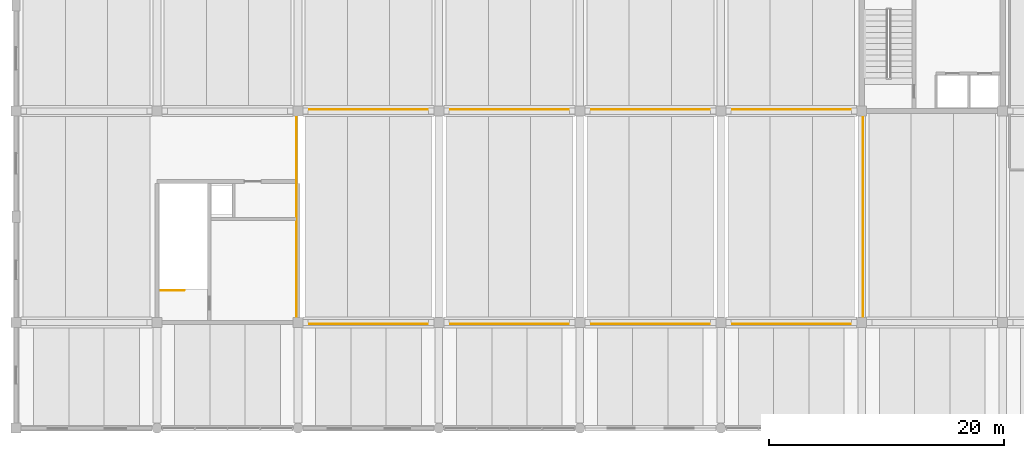
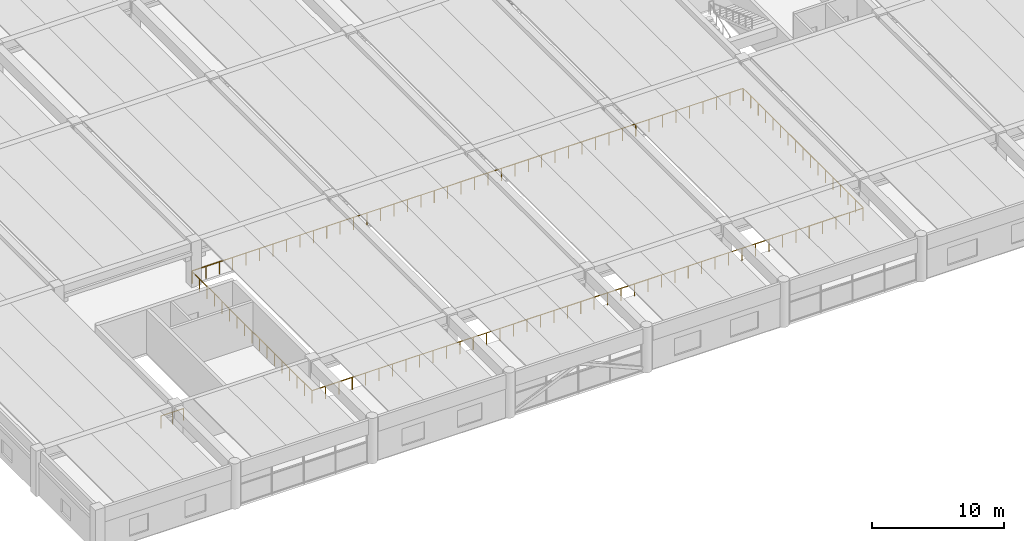
# One storey, part 43 of 50: 3 railings.
"""IFC4 building model written with IfcOpenShell, lengths in metres."""

import ifcopenshell
import ifcopenshell.guid

model = None  # the IFC model being written
_history = None  # IfcOwnerHistory: only IFC2X3 demands one
_inside = {}  # id of a spatial element -> (the spatial element, [elements in it])
_under = {}  # id of a project, library or spatial element -> (it, [spatial elements below it])
_declared = {}  # id of a project -> (the project, [libraries it declares])
_typed = {}  # id of a type object -> (the type object, [elements of that type])
_made_of = {}  # id of a material, layer set ... -> (it, [elements and type objects made of it])


def new_model(schema):
    """Start an empty IFC model of exactly this schema.

    Asked for "IFC4X3", IfcOpenShell would pick the latest addendum, in which some entities
    have other attributes; the version numbers below select the first issue.
    IFC2X3 requires an IfcOwnerHistory on every rooted entity: one is made here for all.
    """
    global model, _history
    if schema == "IFC4X3":
        model = ifcopenshell.file(schema_version=(4, 3, 0, 0))
    else:
        model = ifcopenshell.file(schema=schema)
    _inside.clear()
    _under.clear()
    _declared.clear()
    _typed.clear()
    _made_of.clear()
    _history = None
    if model.schema == "IFC2X3":
        org = make("IfcOrganization", Name="unknown")
        user = make(
            "IfcPersonAndOrganization",
            ThePerson=make("IfcPerson", FamilyName="unknown"),
            TheOrganization=org,
        )
        app = make(
            "IfcApplication",
            ApplicationDeveloper=org,
            Version="unknown",
            ApplicationFullName="unknown",
            ApplicationIdentifier="unknown",
        )
        _history = make(
            "IfcOwnerHistory",
            OwningUser=user,
            OwningApplication=app,
            ChangeAction="ADDED",
            CreationDate=0,
        )
    return model


def make(cls, **values):
    """One entity of the class cls with the attributes given. An attribute that is None is left unset."""
    return model.create_entity(
        cls, **{name: value for name, value in values.items() if value is not None}
    )


def rooted(cls, **values):
    """An entity with a GlobalId (a new one), such as an element, a storey or a relation."""
    return make(cls, GlobalId=ifcopenshell.guid.new(), OwnerHistory=_history, **values)


def si_unit(unit_type, name, prefix=None):
    """IfcSIUnit, for example si_unit("LENGTHUNIT", "METRE", prefix="MILLI")."""
    return make("IfcSIUnit", UnitType=unit_type, Prefix=prefix, Name=name)


def assignment(units):
    """IfcUnitAssignment: the units of a project."""
    return None if units is None else make("IfcUnitAssignment", Units=units)


def point(xyz):
    """IfcCartesianPoint."""
    return None if xyz is None else make("IfcCartesianPoint", Coordinates=xyz)


def direction(xyz):
    """IfcDirection."""
    return None if xyz is None else make("IfcDirection", DirectionRatios=xyz)


def frame(location, z_axis=None, x_axis=None):
    """IfcAxis2Placement3D, a coordinate frame: its origin and axes. An axis left out is left unset."""
    return make(
        "IfcAxis2Placement3D",
        Location=point(location),
        Axis=direction(z_axis),
        RefDirection=direction(x_axis),
    )


def frame_2d(location, x_axis=None):
    """IfcAxis2Placement2D, a coordinate frame in the plane: its origin and x axis."""
    return make(
        "IfcAxis2Placement2D", Location=point(location), RefDirection=direction(x_axis)
    )


def origin():
    """The frame at (0, 0, 0) with its axes left unset."""
    return frame((0.0, 0.0, 0.0))


def origin_2d():
    """The frame at (0, 0) in the plane with its x axis left unset."""
    return frame_2d((0.0, 0.0))


def place(relative_to, where):
    """IfcLocalPlacement: puts the frame where relative to a parent placement (None: the world)."""
    return make(
        "IfcLocalPlacement", PlacementRelTo=relative_to, RelativePlacement=where
    )


def context(
    kind, dimensions, precision=None, world=None, true_north=None, identifier=None
):
    """IfcGeometricRepresentationContext, for example the 3D "Model" context."""
    return make(
        "IfcGeometricRepresentationContext",
        ContextIdentifier=identifier,
        ContextType=kind,
        CoordinateSpaceDimension=dimensions,
        Precision=precision,
        WorldCoordinateSystem=world,
        TrueNorth=true_north,
    )


def subcontext(parent, identifier, kind, view, scale=None):
    """IfcGeometricRepresentationSubContext, for example "Body" below "Model"."""
    return make(
        "IfcGeometricRepresentationSubContext",
        ContextIdentifier=identifier,
        ContextType=kind,
        ParentContext=parent,
        TargetScale=scale,
        TargetView=view,
    )


def project(units=None, contexts=None):
    """IfcProject with its units and contexts."""
    return rooted(
        "IfcProject",
        Name="project",
        RepresentationContexts=contexts,
        UnitsInContext=assignment(units),
    )


def spatial(cls, under=None, at=None, **own):
    """A site, building, storey or space (cls), placed at a placement, below another one or the project."""
    s = rooted(cls, ObjectPlacement=at, **own)
    if under is not None:
        _under.setdefault(under.id(), (under, []))[1].append(s)
    return s


def profile(cls, at=None, kind="AREA", **sizes):
    """A parametric profile (cls). Its sizes go by their IFC names, for example OverallWidth=200.0."""
    return make(cls, ProfileType=kind, Position=at, **sizes)


def circle(**sizes):
    """IfcCircleProfileDef."""
    return profile("IfcCircleProfileDef", **sizes)


def extrude(swept, where, along, depth):
    """IfcExtrudedAreaSolid: the profile swept, set in the frame where, extruded along a direction by depth."""
    return make(
        "IfcExtrudedAreaSolid",
        SweptArea=swept,
        Position=where,
        ExtrudedDirection=direction(along),
        Depth=depth,
    )


def shape(context_of_items, identifier, shape_type, items):
    """IfcShapeRepresentation: the items that make up one representation, for example the "Body"."""
    return make(
        "IfcShapeRepresentation",
        ContextOfItems=context_of_items,
        RepresentationIdentifier=identifier,
        RepresentationType=shape_type,
        Items=items,
    )


def material(Name=None, Category=None):
    """IfcMaterial."""
    return make("IfcMaterial", Name=Name, Category=Category)


def layer(
    of_material, thickness, ventilated=None, Name=None, Category=None, Priority=None
):
    """IfcMaterialLayer: one layer of a wall or slab, of a material (None: an air gap)."""
    return make(
        "IfcMaterialLayer",
        Material=of_material,
        LayerThickness=thickness,
        IsVentilated=ventilated,
        Name=Name,
        Category=Category,
        Priority=Priority,
    )


def layer_set(layers, Name=None):
    """IfcMaterialLayerSet."""
    return make("IfcMaterialLayerSet", MaterialLayers=layers, LayerSetName=Name)


def made_of(thing, what):
    """Note that an element or type object is made of a material, layer set ...; save() writes the relation."""
    if what is not None:
        _made_of.setdefault(what.id(), (what, []))[1].append(thing)
    return thing


def type_object(cls, material=None, **own):
    """A type object (cls), such as IfcWallType, which elements share."""
    return made_of(rooted(cls, **own), material)


def element(
    cls,
    number,
    at=None,
    inside=None,
    cuts=None,
    type_object=None,
    material=None,
    context=None,
    identifier="Body",
    shape_type=None,
    held_by="IfcProductDefinitionShape",
    body=None,
    shapes=None,
    **own,
):
    """One element of the class cls, such as IfcWall. Its Tag is "e" and its number.

    at: its placement. inside: the storey or other place that contains it. cuts: it is an
    opening in that element (IfcRelVoidsElement). A single representation is given by context,
    identifier, shape_type and body (its items); several are given by shapes. held_by: the class
    of the entity that holds the representations. save() writes the other relations.
    """
    e = rooted(cls, Tag="e%d" % number, ObjectPlacement=at, **own)
    if body is not None:
        shapes = [shape(context, identifier, shape_type, body)]
    if shapes is not None:
        e.Representation = make(held_by, Representations=shapes)
    if inside is not None:
        _inside.setdefault(inside.id(), (inside, []))[1].append(e)
    if cuts is not None:
        rooted(
            "IfcRelVoidsElement", RelatingBuildingElement=cuts, RelatedOpeningElement=e
        )
    if type_object is not None:
        _typed.setdefault(type_object.id(), (type_object, []))[1].append(e)
    return made_of(e, material)


def aggregate(whole, parts):
    """IfcRelAggregates: a whole, such as a stair, and the parts it consists of."""
    return rooted("IfcRelAggregates", RelatingObject=whole, RelatedObjects=parts)


def save(model, path):
    """Write the relations noted so far, then the file.

    IfcRelAggregates (storeys below a building ...), IfcRelContainedInSpatialStructure (elements
    in a storey), IfcRelDefinesByType, IfcRelAssociatesMaterial and IfcRelDeclares: one each for
    every whole, place, type object, material and project.
    """
    for whole, parts in _under.values():
        aggregate(whole, parts)
    for where, things in _inside.values():
        rooted(
            "IfcRelContainedInSpatialStructure",
            RelatedElements=things,
            RelatingStructure=where,
        )
    for kind, things in _typed.values():
        rooted("IfcRelDefinesByType", RelatedObjects=things, RelatingType=kind)
    for what, things in _made_of.values():
        rooted("IfcRelAssociatesMaterial", RelatedObjects=things, RelatingMaterial=what)
    for by, libraries in _declared.values():
        rooted("IfcRelDeclares", RelatingContext=by, RelatedDefinitions=libraries)
    model.write(path)


model = new_model("IFC4")

# Units and contexts
model_context = context("Model", 3, precision=1e-05, world=origin(), true_north=direction((0.0, 1.0)))
body_context = subcontext(model_context, "Body", "Model", "MODEL_VIEW")
ifc_project = project(units=[si_unit("LENGTHUNIT", "METRE"), si_unit("AREAUNIT", "SQUARE_METRE"), si_unit("VOLUMEUNIT", "CUBIC_METRE"), si_unit("PLANEANGLEUNIT", "RADIAN"), si_unit("MASSUNIT", "GRAM", prefix="KILO")], contexts=[model_context])

# Site, building, storey
site_placement = place(None, origin())
site = spatial("IfcSite", under=ifc_project, at=site_placement, CompositionType="ELEMENT")
building_placement = place(site_placement, origin())
building = spatial("IfcBuilding", under=site, at=building_placement, Name="Girod Span Mobility Hub", CompositionType="ELEMENT")
storey_placement = place(building_placement, frame((0.0, 0.0, 5.39990234375)))
storey = spatial("IfcBuildingStorey", under=building, at=storey_placement, Name="L01", CompositionType="ELEMENT", Elevation=5.39990234375)

# Railings
ifc_material_1 = material(Name="Painted Galvanised Steel", Category="steel")
ifc_layer_1 = layer(ifc_material_1, 0.06494140625)
ifc_layer_set_1 = layer_set([ifc_layer_1], Name="Painted Galvanised Steel")
railing_type_1 = type_object("IfcRailingType", Name="RL-GRD-1120", PredefinedType="GUARDRAIL", material=ifc_layer_set_1)
railing_1_placement = place(storey_placement, frame((12.320068359375, 11.739990234375, 0.0)))
element("IfcRailing", 1, at=railing_1_placement, inside=storey, type_object=railing_type_1, Name="Stair ST-5 Top Landing Guardrail L01", PredefinedType="GUARDRAIL", context=body_context, shape_type="SweptSolid", body=[
    extrude(circle(Radius=0.02392578125, at=origin_2d()), frame((0.0, 0.0, 1.09619140625), z_axis=(1.0, 0.0, 0.0), x_axis=(0.0, 1.0, 0.0)), (0.0, 0.0, 1.0), 2.0),
    extrude(circle(Radius=0.02099609375, at=origin_2d()), origin(), (0.0, 0.0, 1.0), 1.072021484375),
    extrude(circle(Radius=0.02099609375, at=origin_2d()), frame((1.0, 0.0, 0.0)), (0.0, 0.0, 1.0), 1.072021484375),
    extrude(circle(Radius=0.02099609375, at=origin_2d()), frame((2.0, 0.0, 0.0)), (0.0, 0.0, 1.0), 1.072021484375),
])
ifc_material_2 = material(Name="Painted Galvanised Steel", Category="steel")
ifc_layer_2 = layer(ifc_material_2, 0.074951171875)
ifc_layer_set_2 = layer_set([ifc_layer_2], Name="Painted Galvanised Steel")
railing_type_2 = type_object("IfcRailingType", Name="RL-GRD-1150", PredefinedType="GUARDRAIL", material=ifc_layer_set_2)
railing_2_placement = place(storey_placement, frame((72.06005859375, 8.8798828125, 0.0)))
element("IfcRailing", 2, at=railing_2_placement, inside=storey, type_object=railing_type_2, Name="L01 Bus Concourse Overlook Guardrail South-West", PredefinedType="GUARDRAIL", context=body_context, shape_type="SweptSolid", body=[
    extrude(circle(Radius=0.02392578125, at=origin_2d()), frame((0.0, 0.0, 1.1259765625), z_axis=(-1.0, 0.0, 0.0), x_axis=(0.0, -1.0, 0.0)), (0.0, 0.0, 1.0), 48.18017578125),
    extrude(circle(Radius=0.02392578125, at=origin_2d()), frame((-48.18017578125, 0.0, 1.1259765625), z_axis=(0.0, 1.0, 0.0), x_axis=(-1.0, 0.0, 0.0)), (0.0, 0.0, 1.0), 18.18017578125),
    extrude(circle(Radius=0.02099609375, at=origin_2d()), origin(), (0.0, 0.0, 1.0), 1.101806640625),
    extrude(circle(Radius=0.02099609375, at=origin_2d()), frame((-1.175048828125, 0.0, 0.0)), (0.0, 0.0, 1.0), 1.101806640625),
    extrude(circle(Radius=0.02099609375, at=origin_2d()), frame((-2.350341796875, 0.0, 0.0)), (0.0, 0.0, 1.0), 1.101806640625),
    extrude(circle(Radius=0.02099609375, at=origin_2d()), frame((-3.525390625, 0.0, 0.0)), (0.0, 0.0, 1.0), 1.101806640625),
    extrude(circle(Radius=0.02099609375, at=origin_2d()), frame((-4.700439453125, 0.0, 0.0)), (0.0, 0.0, 1.0), 1.101806640625),
    extrude(circle(Radius=0.02099609375, at=origin_2d()), frame((-5.875732421875, 0.0, 0.0)), (0.0, 0.0, 1.0), 1.101806640625),
    extrude(circle(Radius=0.02099609375, at=origin_2d()), frame((-7.05078125, 0.0, 0.0)), (0.0, 0.0, 1.0), 1.101806640625),
    extrude(circle(Radius=0.02099609375, at=origin_2d()), frame((-8.225830078125, 0.0, 0.0)), (0.0, 0.0, 1.0), 1.101806640625),
    extrude(circle(Radius=0.02099609375, at=origin_2d()), frame((-9.401123046875, 0.0, 0.0)), (0.0, 0.0, 1.0), 1.101806640625),
    extrude(circle(Radius=0.02099609375, at=origin_2d()), frame((-10.576171875, 0.0, 0.0)), (0.0, 0.0, 1.0), 1.101806640625),
    extrude(circle(Radius=0.02099609375, at=origin_2d()), frame((-11.751220703125, 0.0, 0.0)), (0.0, 0.0, 1.0), 1.101806640625),
    extrude(circle(Radius=0.02099609375, at=origin_2d()), frame((-12.92626953125, 0.0, 0.0)), (0.0, 0.0, 1.0), 1.101806640625),
    extrude(circle(Radius=0.02099609375, at=origin_2d()), frame((-14.1015625, 0.0, 0.0)), (0.0, 0.0, 1.0), 1.101806640625),
    extrude(circle(Radius=0.02099609375, at=origin_2d()), frame((-15.276611328125, 0.0, 0.0)), (0.0, 0.0, 1.0), 1.101806640625),
    extrude(circle(Radius=0.02099609375, at=origin_2d()), frame((-16.45166015625, 0.0, 0.0)), (0.0, 0.0, 1.0), 1.101806640625),
    extrude(circle(Radius=0.02099609375, at=origin_2d()), frame((-17.626953125, 0.0, 0.0)), (0.0, 0.0, 1.0), 1.101806640625),
    extrude(circle(Radius=0.02099609375, at=origin_2d()), frame((-18.802001953125, 0.0, 0.0)), (0.0, 0.0, 1.0), 1.101806640625),
    extrude(circle(Radius=0.02099609375, at=origin_2d()), frame((-19.97705078125, 0.0, 0.0)), (0.0, 0.0, 1.0), 1.101806640625),
    extrude(circle(Radius=0.02099609375, at=origin_2d()), frame((-21.15234375, 0.0, 0.0)), (0.0, 0.0, 1.0), 1.101806640625),
    extrude(circle(Radius=0.02099609375, at=origin_2d()), frame((-22.327392578125, 0.0, 0.0)), (0.0, 0.0, 1.0), 1.101806640625),
    extrude(circle(Radius=0.02099609375, at=origin_2d()), frame((-23.50244140625, 0.0, 0.0)), (0.0, 0.0, 1.0), 1.101806640625),
    extrude(circle(Radius=0.02099609375, at=origin_2d()), frame((-24.677734375, 0.0, 0.0)), (0.0, 0.0, 1.0), 1.101806640625),
    extrude(circle(Radius=0.02099609375, at=origin_2d()), frame((-25.852783203125, 0.0, 0.0)), (0.0, 0.0, 1.0), 1.101806640625),
    extrude(circle(Radius=0.02099609375, at=origin_2d()), frame((-27.02783203125, 0.0, 0.0)), (0.0, 0.0, 1.0), 1.101806640625),
    extrude(circle(Radius=0.02099609375, at=origin_2d()), frame((-28.203125, 0.0, 0.0)), (0.0, 0.0, 1.0), 1.101806640625),
    extrude(circle(Radius=0.02099609375, at=origin_2d()), frame((-29.378173828125, 0.0, 0.0)), (0.0, 0.0, 1.0), 1.101806640625),
    extrude(circle(Radius=0.02099609375, at=origin_2d()), frame((-30.55322265625, 0.0, 0.0)), (0.0, 0.0, 1.0), 1.101806640625),
    extrude(circle(Radius=0.02099609375, at=origin_2d()), frame((-31.728515625, 0.0, 0.0)), (0.0, 0.0, 1.0), 1.101806640625),
    extrude(circle(Radius=0.02099609375, at=origin_2d()), frame((-32.903564453125, 0.0, 0.0)), (0.0, 0.0, 1.0), 1.101806640625),
    extrude(circle(Radius=0.02099609375, at=origin_2d()), frame((-34.07861328125, 0.0, 0.0)), (0.0, 0.0, 1.0), 1.101806640625),
    extrude(circle(Radius=0.02099609375, at=origin_2d()), frame((-35.25390625, 0.0, 0.0)), (0.0, 0.0, 1.0), 1.101806640625),
    extrude(circle(Radius=0.02099609375, at=origin_2d()), frame((-36.428955078125, 0.0, 0.0)), (0.0, 0.0, 1.0), 1.101806640625),
    extrude(circle(Radius=0.02099609375, at=origin_2d()), frame((-37.60400390625, 0.0, 0.0)), (0.0, 0.0, 1.0), 1.101806640625),
    extrude(circle(Radius=0.02099609375, at=origin_2d()), frame((-38.779052734375, 0.0, 0.0)), (0.0, 0.0, 1.0), 1.101806640625),
    extrude(circle(Radius=0.02099609375, at=origin_2d()), frame((-39.954345703125, 0.0, 0.0)), (0.0, 0.0, 1.0), 1.101806640625),
    extrude(circle(Radius=0.02099609375, at=origin_2d()), frame((-41.12939453125, 0.0, 0.0)), (0.0, 0.0, 1.0), 1.101806640625),
    extrude(circle(Radius=0.02099609375, at=origin_2d()), frame((-42.304443359375, 0.0, 0.0)), (0.0, 0.0, 1.0), 1.101806640625),
    extrude(circle(Radius=0.02099609375, at=origin_2d()), frame((-43.479736328125, 0.0, 0.0)), (0.0, 0.0, 1.0), 1.101806640625),
    extrude(circle(Radius=0.02099609375, at=origin_2d()), frame((-44.65478515625, 0.0, 0.0)), (0.0, 0.0, 1.0), 1.101806640625),
    extrude(circle(Radius=0.02099609375, at=origin_2d()), frame((-45.829833984375, 0.0, 0.0)), (0.0, 0.0, 1.0), 1.101806640625),
    extrude(circle(Radius=0.02099609375, at=origin_2d()), frame((-47.005126953125, 0.0, 0.0)), (0.0, 0.0, 1.0), 1.101806640625),
    extrude(circle(Radius=0.02099609375, at=origin_2d()), frame((-48.18017578125, 0.0, 0.0)), (0.0, 0.0, 1.0), 1.101806640625),
    extrude(circle(Radius=0.02099609375, at=origin_2d()), frame((-48.18017578125, 1.13623046875, 0.0)), (0.0, 0.0, 1.0), 1.101806640625),
    extrude(circle(Radius=0.02099609375, at=origin_2d()), frame((-48.18017578125, 2.2724609375, 0.0)), (0.0, 0.0, 1.0), 1.101806640625),
    extrude(circle(Radius=0.02099609375, at=origin_2d()), frame((-48.18017578125, 3.40869140625, 0.0)), (0.0, 0.0, 1.0), 1.101806640625),
    extrude(circle(Radius=0.02099609375, at=origin_2d()), frame((-48.18017578125, 4.544921875, 0.0)), (0.0, 0.0, 1.0), 1.101806640625),
    extrude(circle(Radius=0.02099609375, at=origin_2d()), frame((-48.18017578125, 5.681396484375, 0.0)), (0.0, 0.0, 1.0), 1.101806640625),
    extrude(circle(Radius=0.02099609375, at=origin_2d()), frame((-48.18017578125, 6.817626953125, 0.0)), (0.0, 0.0, 1.0), 1.101806640625),
    extrude(circle(Radius=0.02099609375, at=origin_2d()), frame((-48.18017578125, 7.953857421875, 0.0)), (0.0, 0.0, 1.0), 1.101806640625),
    extrude(circle(Radius=0.02099609375, at=origin_2d()), frame((-48.18017578125, 9.090087890625, 0.0)), (0.0, 0.0, 1.0), 1.101806640625),
    extrude(circle(Radius=0.02099609375, at=origin_2d()), frame((-48.18017578125, 10.226318359375, 0.0)), (0.0, 0.0, 1.0), 1.101806640625),
    extrude(circle(Radius=0.02099609375, at=origin_2d()), frame((-48.18017578125, 11.362548828125, 0.0)), (0.0, 0.0, 1.0), 1.101806640625),
    extrude(circle(Radius=0.02099609375, at=origin_2d()), frame((-48.18017578125, 12.498779296875, 0.0)), (0.0, 0.0, 1.0), 1.101806640625),
    extrude(circle(Radius=0.02099609375, at=origin_2d()), frame((-48.18017578125, 13.63525390625, 0.0)), (0.0, 0.0, 1.0), 1.101806640625),
    extrude(circle(Radius=0.02099609375, at=origin_2d()), frame((-48.18017578125, 14.771484375, 0.0)), (0.0, 0.0, 1.0), 1.101806640625),
    extrude(circle(Radius=0.02099609375, at=origin_2d()), frame((-48.18017578125, 15.90771484375, 0.0)), (0.0, 0.0, 1.0), 1.101806640625),
    extrude(circle(Radius=0.02099609375, at=origin_2d()), frame((-48.18017578125, 17.0439453125, 0.0)), (0.0, 0.0, 1.0), 1.101806640625),
    extrude(circle(Radius=0.02099609375, at=origin_2d()), frame((-48.18017578125, 18.18017578125, 0.0)), (0.0, 0.0, 1.0), 1.101806640625),
])
railing_3_placement = place(storey_placement, frame((23.9599609375, 27.1201171875, 0.0)))
element("IfcRailing", 3, at=railing_3_placement, inside=storey, type_object=railing_type_2, Name="L01 Bus Concourse Overlook Guardrail North-East", PredefinedType="GUARDRAIL", context=body_context, shape_type="SweptSolid", body=[
    extrude(circle(Radius=0.02392578125, at=origin_2d()), frame((0.0, 0.0, 1.1259765625), z_axis=(1.0, 0.0, 0.0), x_axis=(0.0, 1.0, 0.0)), (0.0, 0.0, 1.0), 48.16015625),
    extrude(circle(Radius=0.02392578125, at=origin_2d()), frame((48.16015625, 0.0, 1.1259765625), z_axis=(0.0, -1.0, 0.0), x_axis=(1.0, 0.0, 0.0)), (0.0, 0.0, 1.0), 18.16015625),
    extrude(circle(Radius=0.02099609375, at=origin_2d()), origin(), (0.0, 0.0, 1.0), 1.101806640625),
    extrude(circle(Radius=0.02099609375, at=origin_2d()), frame((1.174560546875, 0.0, 0.0)), (0.0, 0.0, 1.0), 1.101806640625),
    extrude(circle(Radius=0.02099609375, at=origin_2d()), frame((2.349365234375, 0.0, 0.0)), (0.0, 0.0, 1.0), 1.101806640625),
    extrude(circle(Radius=0.02099609375, at=origin_2d()), frame((3.52392578125, 0.0, 0.0)), (0.0, 0.0, 1.0), 1.101806640625),
    extrude(circle(Radius=0.02099609375, at=origin_2d()), frame((4.698486328125, 0.0, 0.0)), (0.0, 0.0, 1.0), 1.101806640625),
    extrude(circle(Radius=0.02099609375, at=origin_2d()), frame((5.873291015625, 0.0, 0.0)), (0.0, 0.0, 1.0), 1.101806640625),
    extrude(circle(Radius=0.02099609375, at=origin_2d()), frame((7.0478515625, 0.0, 0.0)), (0.0, 0.0, 1.0), 1.101806640625),
    extrude(circle(Radius=0.02099609375, at=origin_2d()), frame((8.222412109375, 0.0, 0.0)), (0.0, 0.0, 1.0), 1.101806640625),
    extrude(circle(Radius=0.02099609375, at=origin_2d()), frame((9.397216796875, 0.0, 0.0)), (0.0, 0.0, 1.0), 1.101806640625),
    extrude(circle(Radius=0.02099609375, at=origin_2d()), frame((10.57177734375, 0.0, 0.0)), (0.0, 0.0, 1.0), 1.101806640625),
    extrude(circle(Radius=0.02099609375, at=origin_2d()), frame((11.746337890625, 0.0, 0.0)), (0.0, 0.0, 1.0), 1.101806640625),
    extrude(circle(Radius=0.02099609375, at=origin_2d()), frame((12.9208984375, 0.0, 0.0)), (0.0, 0.0, 1.0), 1.101806640625),
    extrude(circle(Radius=0.02099609375, at=origin_2d()), frame((14.095703125, 0.0, 0.0)), (0.0, 0.0, 1.0), 1.101806640625),
    extrude(circle(Radius=0.02099609375, at=origin_2d()), frame((15.270263671875, 0.0, 0.0)), (0.0, 0.0, 1.0), 1.101806640625),
    extrude(circle(Radius=0.02099609375, at=origin_2d()), frame((16.44482421875, 0.0, 0.0)), (0.0, 0.0, 1.0), 1.101806640625),
    extrude(circle(Radius=0.02099609375, at=origin_2d()), frame((17.61962890625, 0.0, 0.0)), (0.0, 0.0, 1.0), 1.101806640625),
    extrude(circle(Radius=0.02099609375, at=origin_2d()), frame((18.794189453125, 0.0, 0.0)), (0.0, 0.0, 1.0), 1.101806640625),
    extrude(circle(Radius=0.02099609375, at=origin_2d()), frame((19.96875, 0.0, 0.0)), (0.0, 0.0, 1.0), 1.101806640625),
    extrude(circle(Radius=0.02099609375, at=origin_2d()), frame((21.1435546875, 0.0, 0.0)), (0.0, 0.0, 1.0), 1.101806640625),
    extrude(circle(Radius=0.02099609375, at=origin_2d()), frame((22.318115234375, 0.0, 0.0)), (0.0, 0.0, 1.0), 1.101806640625),
    extrude(circle(Radius=0.02099609375, at=origin_2d()), frame((23.49267578125, 0.0, 0.0)), (0.0, 0.0, 1.0), 1.101806640625),
    extrude(circle(Radius=0.02099609375, at=origin_2d()), frame((24.66748046875, 0.0, 0.0)), (0.0, 0.0, 1.0), 1.101806640625),
    extrude(circle(Radius=0.02099609375, at=origin_2d()), frame((25.842041015625, 0.0, 0.0)), (0.0, 0.0, 1.0), 1.101806640625),
    extrude(circle(Radius=0.02099609375, at=origin_2d()), frame((27.0166015625, 0.0, 0.0)), (0.0, 0.0, 1.0), 1.101806640625),
    extrude(circle(Radius=0.02099609375, at=origin_2d()), frame((28.19140625, 0.0, 0.0)), (0.0, 0.0, 1.0), 1.101806640625),
    extrude(circle(Radius=0.02099609375, at=origin_2d()), frame((29.365966796875, 0.0, 0.0)), (0.0, 0.0, 1.0), 1.101806640625),
    extrude(circle(Radius=0.02099609375, at=origin_2d()), frame((30.54052734375, 0.0, 0.0)), (0.0, 0.0, 1.0), 1.101806640625),
    extrude(circle(Radius=0.02099609375, at=origin_2d()), frame((31.71533203125, 0.0, 0.0)), (0.0, 0.0, 1.0), 1.101806640625),
    extrude(circle(Radius=0.02099609375, at=origin_2d()), frame((32.889892578125, 0.0, 0.0)), (0.0, 0.0, 1.0), 1.101806640625),
    extrude(circle(Radius=0.02099609375, at=origin_2d()), frame((34.064453125, 0.0, 0.0)), (0.0, 0.0, 1.0), 1.101806640625),
    extrude(circle(Radius=0.02099609375, at=origin_2d()), frame((35.2392578125, 0.0, 0.0)), (0.0, 0.0, 1.0), 1.101806640625),
    extrude(circle(Radius=0.02099609375, at=origin_2d()), frame((36.413818359375, 0.0, 0.0)), (0.0, 0.0, 1.0), 1.101806640625),
    extrude(circle(Radius=0.02099609375, at=origin_2d()), frame((37.58837890625, 0.0, 0.0)), (0.0, 0.0, 1.0), 1.101806640625),
    extrude(circle(Radius=0.02099609375, at=origin_2d()), frame((38.762939453125, 0.0, 0.0)), (0.0, 0.0, 1.0), 1.101806640625),
    extrude(circle(Radius=0.02099609375, at=origin_2d()), frame((39.937744140625, 0.0, 0.0)), (0.0, 0.0, 1.0), 1.101806640625),
    extrude(circle(Radius=0.02099609375, at=origin_2d()), frame((41.1123046875, 0.0, 0.0)), (0.0, 0.0, 1.0), 1.101806640625),
    extrude(circle(Radius=0.02099609375, at=origin_2d()), frame((42.286865234375, 0.0, 0.0)), (0.0, 0.0, 1.0), 1.101806640625),
    extrude(circle(Radius=0.02099609375, at=origin_2d()), frame((43.461669921875, 0.0, 0.0)), (0.0, 0.0, 1.0), 1.101806640625),
    extrude(circle(Radius=0.02099609375, at=origin_2d()), frame((44.63623046875, 0.0, 0.0)), (0.0, 0.0, 1.0), 1.101806640625),
    extrude(circle(Radius=0.02099609375, at=origin_2d()), frame((45.810791015625, 0.0, 0.0)), (0.0, 0.0, 1.0), 1.101806640625),
    extrude(circle(Radius=0.02099609375, at=origin_2d()), frame((46.985595703125, 0.0, 0.0)), (0.0, 0.0, 1.0), 1.101806640625),
    extrude(circle(Radius=0.02099609375, at=origin_2d()), frame((48.16015625, 0.0, 0.0)), (0.0, 0.0, 1.0), 1.101806640625),
    extrude(circle(Radius=0.02099609375, at=origin_2d()), frame((48.16015625, -1.135009765625, 0.0)), (0.0, 0.0, 1.0), 1.101806640625),
    extrude(circle(Radius=0.02099609375, at=origin_2d()), frame((48.16015625, -2.27001953125, 0.0)), (0.0, 0.0, 1.0), 1.101806640625),
    extrude(circle(Radius=0.02099609375, at=origin_2d()), frame((48.16015625, -3.405029296875, 0.0)), (0.0, 0.0, 1.0), 1.101806640625),
    extrude(circle(Radius=0.02099609375, at=origin_2d()), frame((48.16015625, -4.5400390625, 0.0)), (0.0, 0.0, 1.0), 1.101806640625),
    extrude(circle(Radius=0.02099609375, at=origin_2d()), frame((48.16015625, -5.675048828125, 0.0)), (0.0, 0.0, 1.0), 1.101806640625),
    extrude(circle(Radius=0.02099609375, at=origin_2d()), frame((48.16015625, -6.81005859375, 0.0)), (0.0, 0.0, 1.0), 1.101806640625),
    extrude(circle(Radius=0.02099609375, at=origin_2d()), frame((48.16015625, -7.945068359375, 0.0)), (0.0, 0.0, 1.0), 1.101806640625),
    extrude(circle(Radius=0.02099609375, at=origin_2d()), frame((48.16015625, -9.080078125, 0.0)), (0.0, 0.0, 1.0), 1.101806640625),
    extrude(circle(Radius=0.02099609375, at=origin_2d()), frame((48.16015625, -10.215087890625, 0.0)), (0.0, 0.0, 1.0), 1.101806640625),
    extrude(circle(Radius=0.02099609375, at=origin_2d()), frame((48.16015625, -11.35009765625, 0.0)), (0.0, 0.0, 1.0), 1.101806640625),
    extrude(circle(Radius=0.02099609375, at=origin_2d()), frame((48.16015625, -12.485107421875, 0.0)), (0.0, 0.0, 1.0), 1.101806640625),
    extrude(circle(Radius=0.02099609375, at=origin_2d()), frame((48.16015625, -13.6201171875, 0.0)), (0.0, 0.0, 1.0), 1.101806640625),
    extrude(circle(Radius=0.02099609375, at=origin_2d()), frame((48.16015625, -14.755126953125, 0.0)), (0.0, 0.0, 1.0), 1.101806640625),
    extrude(circle(Radius=0.02099609375, at=origin_2d()), frame((48.16015625, -15.89013671875, 0.0)), (0.0, 0.0, 1.0), 1.101806640625),
    extrude(circle(Radius=0.02099609375, at=origin_2d()), frame((48.16015625, -17.025146484375, 0.0)), (0.0, 0.0, 1.0), 1.101806640625),
    extrude(circle(Radius=0.02099609375, at=origin_2d()), frame((48.16015625, -18.16015625, 0.0)), (0.0, 0.0, 1.0), 1.101806640625),
])

save(model, "model.ifc")
